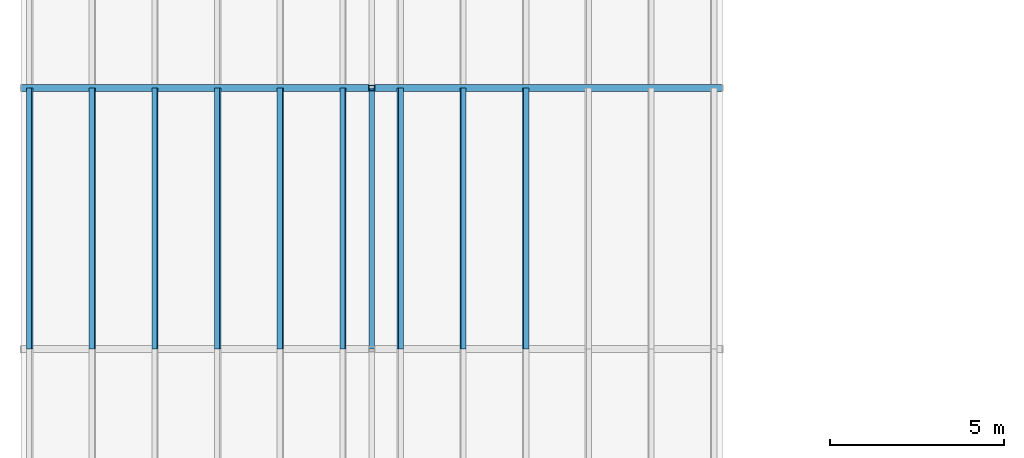
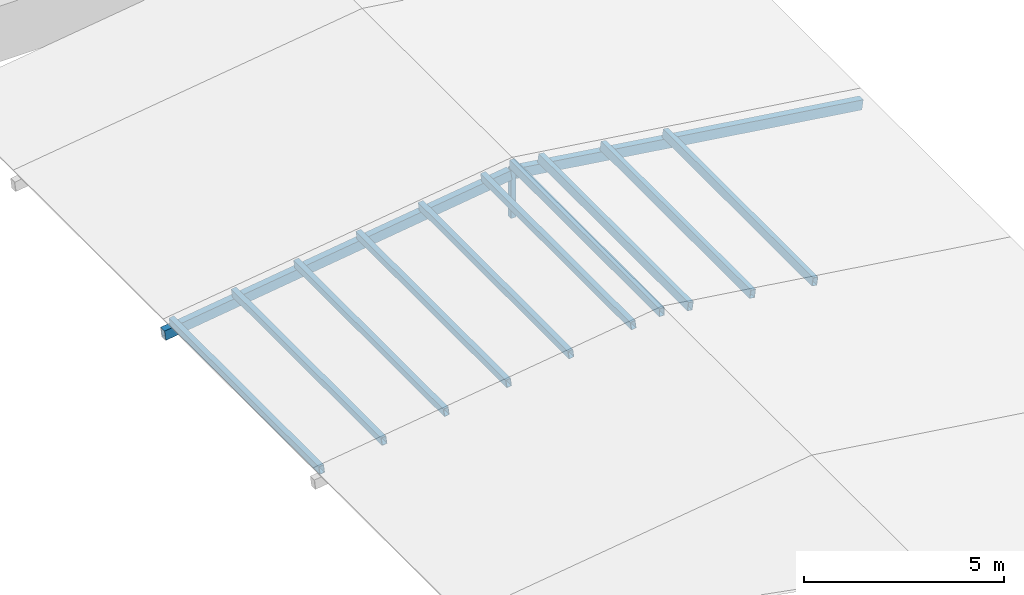
# One storey, part 9 of 52: 13 members.
"""IFC4 building model written with IfcOpenShell, lengths in metres."""

from ifc_helpers import new_model, si_unit, direction, frame, origin, origin_2d, place, context, subcontext, project, spatial, hollow_rectangle, extrude, material, material_profile, profile_set, type_object, element, save


model = new_model("IFC4")

# Units and contexts
model_context = context("Model", 3, precision=1e-05, world=origin(), true_north=direction((0.0, 1.0)))
body_context = subcontext(model_context, "Body", "Model", "MODEL_VIEW")
ifc_project = project(units=[si_unit("LENGTHUNIT", "METRE"), si_unit("AREAUNIT", "SQUARE_METRE"), si_unit("VOLUMEUNIT", "CUBIC_METRE"), si_unit("PLANEANGLEUNIT", "RADIAN"), si_unit("MASSUNIT", "GRAM", prefix="KILO")], contexts=[model_context])

# Site, building, storey
site_placement = place(None, origin())
site = spatial("IfcSite", under=ifc_project, at=site_placement, CompositionType="ELEMENT")
building_placement = place(site_placement, origin())
building = spatial("IfcBuilding", under=site, at=building_placement, Name="Cour d'Honneur Mobility Palace", CompositionType="ELEMENT")
storey_placement = place(building_placement, frame((0.0, 0.0, 23.0)))
storey = spatial("IfcBuildingStorey", under=building, at=storey_placement, Name="L06", CompositionType="ELEMENT", Elevation=23.0)

# Members
ifc_material_1 = material(Name="Steel S355", Category="steel")
ifc_material_profile_1 = material_profile(ifc_material_1, hollow_rectangle(XDim=0.14990234375, YDim=0.14990234375, WallThickness=0.008056640625, at=origin_2d()), Name="RHS 150x150x8")
ifc_profile_set_1 = profile_set([ifc_material_profile_1], Name="Steel S355")
member_type_1 = type_object("IfcMemberType", Name="Terrace king post RHS 150x150x8", PredefinedType="STRUT", material=ifc_profile_set_1)
member_placement = place(storey_placement, frame((8.699951171875, 92.39990234375, 0.300048828125), z_axis=(0.0, 0.0, 1.0), x_axis=(1.0, 0.0, 0.0)))
element("IfcMember", 1, at=member_placement, inside=storey, type_object=member_type_1, Name="Terrace king post TK-C4", PredefinedType="STRUT", context=body_context, shape_type="SweptSolid", body=[
    extrude(hollow_rectangle(XDim=0.14990234375, YDim=0.14990234375, WallThickness=0.008056640625, at=origin_2d()), origin(), (0.0, 0.0, 1.0), 1.5029296875),
])
ifc_material_2 = material(Name="Steel S355", Category="steel")
ifc_material_profile_2 = material_profile(ifc_material_2, hollow_rectangle(XDim=0.14990234375, YDim=0.25, WallThickness=0.010009765625, at=origin_2d()), Name="RHS 250x150x10")
ifc_profile_set_2 = profile_set([ifc_material_profile_2], Name="Steel S355")
member_type_2 = type_object("IfcMemberType", Name="Terrace purlin RHS 250x150x10", PredefinedType="PURLIN", material=ifc_profile_set_2)
for number, where, z_axis, x_axis, name in (
    (2, (-1.125, 84.89990234375, 0.55419921875), (0.0, 1.0, 0.0), (-0.990349673475, 0.0, -0.138591212736), "Terrace purlin TU-C1.3"),
    (3, (0.675048828125, 84.89990234375, 0.80615234375), (0.0, 1.0, 0.0), (-0.990349673475, 0.0, -0.138591212736), "Terrace purlin TU-C2.3"),
    (4, (2.47509765625, 84.89990234375, 1.05810546875), (0.0, 1.0, 0.0), (-0.990349673475, 0.0, -0.138591212736), "Terrace purlin TU-C3.3"),
    (5, (4.27490234375, 84.89990234375, 1.309814453125), (0.0, 1.0, 0.0), (-0.990349673475, 0.0, -0.138591212736), "Terrace purlin TU-C4.3"),
    (6, (6.074951171875, 84.89990234375, 1.561767578125), (0.0, 1.0, 0.0), (-0.990349673475, 0.0, -0.138591212736), "Terrace purlin TU-C5.3"),
    (7, (7.875, 84.89990234375, 1.813720703125), (0.0, 1.0, 0.0), (-0.990349673475, 0.0, -0.138591212736), "Terrace purlin TU-C6.3"),
    (8, (13.125, 84.89990234375, 1.309814453125), (0.0, 1.0, 0.0), (-0.990349673475, 0.0, 0.138591212736), "Terrace purlin TU-C10.3"),
    (9, (11.324951171875, 84.89990234375, 1.561767578125), (0.0, 1.0, 0.0), (-0.990349673475, 0.0, 0.138591212736), "Terrace purlin TU-C11.3"),
    (10, (9.52490234375, 84.89990234375, 1.813720703125), (0.0, 1.0, 0.0), (-0.990349673475, 0.0, 0.138591212736), "Terrace purlin TU-C12.3"),
    (11, (8.699951171875, 84.89990234375, 1.927978515625), (0.0, 1.0, 0.0), (-1.0, 0.0, 0.0), "Terrace purlin TU-C13.3"),
):
    element("IfcMember", number, at=place(storey_placement, frame(where, z_axis=z_axis, x_axis=x_axis)), inside=storey, type_object=member_type_2, Name=name, PredefinedType="PURLIN", context=body_context, shape_type="SweptSolid", body=[
        extrude(hollow_rectangle(XDim=0.14990234375, YDim=0.25, WallThickness=0.010009765625, at=origin_2d()), origin(), (0.0, 0.0, 1.0), 7.5),
    ])
ifc_material_3 = material(Name="Steel S355", Category="steel")
ifc_material_profile_3 = material_profile(ifc_material_3, hollow_rectangle(XDim=0.199951171875, YDim=0.300048828125, WallThickness=0.012451171875, at=origin_2d()), Name="RHS 300x200x12.5")
ifc_profile_set_3 = profile_set([ifc_material_profile_3], Name="Steel S355")
member_type_3 = type_object("IfcMemberType", Name="Terrace rafter RHS 300x200x12.5", PredefinedType="RAFTER", material=ifc_profile_set_3)
for number, where, z_axis, x_axis, name in (
    (12, (-1.375, 92.39990234375, 0.241455078125), (0.990349712833, 0.0, 0.138590931493), (0.0, 1.0, 0.0), "Terrace rafter TF-C4W"),
    (13, (8.77490234375, 92.39990234375, 1.640869140625), (0.990349712833, 0.0, -0.138590931493), (0.0, 1.0, 0.0), "Terrace rafter TF-C4E"),
):
    element("IfcMember", number, at=place(storey_placement, frame(where, z_axis=z_axis, x_axis=x_axis)), inside=storey, type_object=member_type_3, Name=name, PredefinedType="RAFTER", context=body_context, shape_type="SweptSolid", body=[
        extrude(hollow_rectangle(XDim=0.199951171875, YDim=0.300048828125, WallThickness=0.012451171875, at=origin_2d()), origin(), (0.0, 0.0, 1.0), 10.097412109375),
    ])

save(model, "model.ifc")
